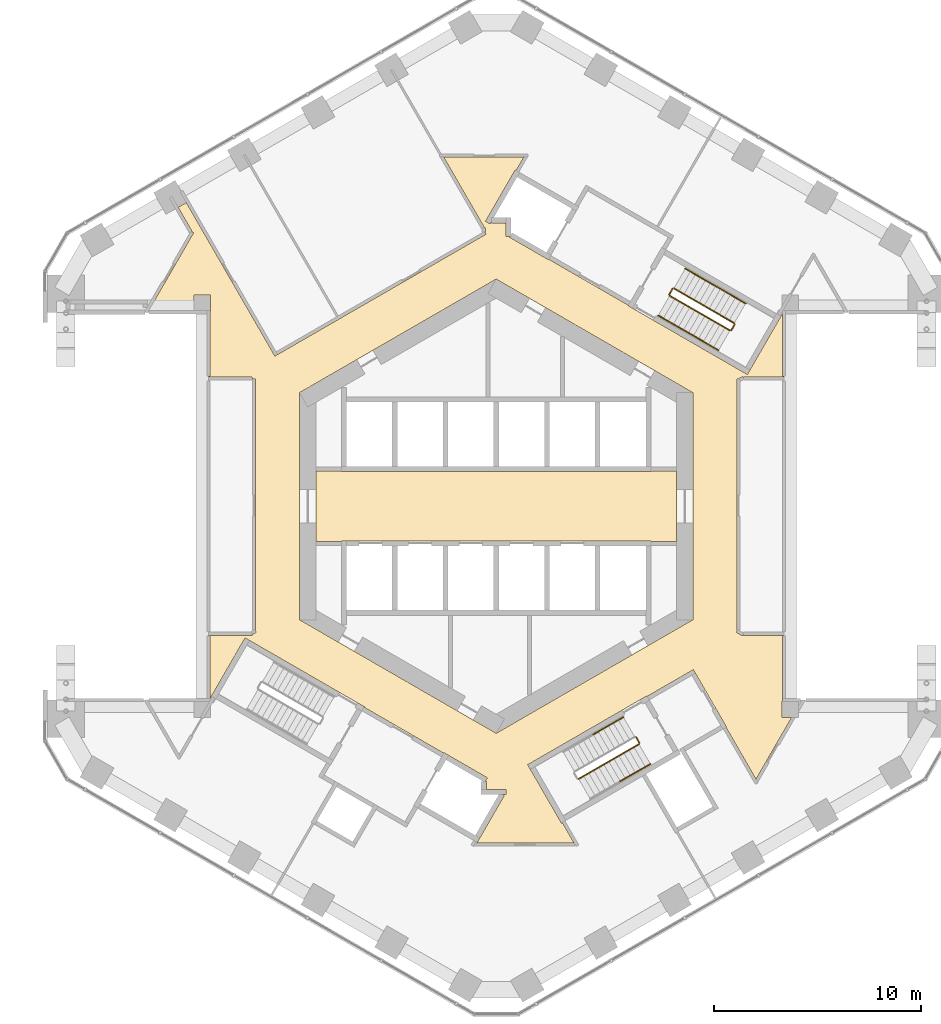
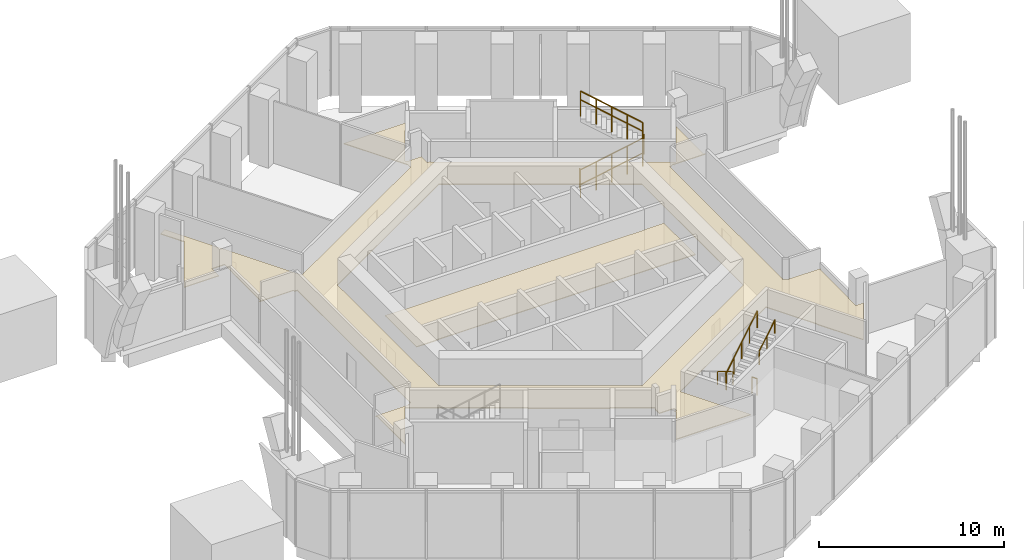
# One storey, part 14 of 14: 12 railings, 2 coverings.
"""IFC4 building model written with IfcOpenShell, lengths in metres."""

from ifc_helpers import new_model, si_unit, direction, frame, origin, origin_2d, place, context, subcontext, project, spatial, polyline, circle, outline, extrude, material, layer, layer_set, type_object, element, save


model = new_model("IFC4")

# Units and contexts
model_context = context("Model", 3, precision=1e-05, world=origin(), true_north=direction((0.0, 1.0)))
body_context = subcontext(model_context, "Body", "Model", "MODEL_VIEW")
ifc_project = project(units=[si_unit("LENGTHUNIT", "METRE"), si_unit("AREAUNIT", "SQUARE_METRE"), si_unit("VOLUMEUNIT", "CUBIC_METRE"), si_unit("PLANEANGLEUNIT", "RADIAN"), si_unit("MASSUNIT", "GRAM", prefix="KILO")], contexts=[model_context])

# Site, building, storey
site_placement = place(None, origin())
site = spatial("IfcSite", under=ifc_project, at=site_placement, CompositionType="ELEMENT")
building_placement = place(site_placement, origin())
building = spatial("IfcBuilding", under=site, at=building_placement, Name="Ayvan Gate Tower", CompositionType="ELEMENT")
storey_placement = place(building_placement, frame((0.0, 0.0, 7.0)))
storey = spatial("IfcBuildingStorey", under=building, at=storey_placement, Name="L01", CompositionType="ELEMENT", Elevation=7.0)

# Coverings
ifc_material_1 = material(Name="Plasterboard suspended ceiling")
ifc_layer = layer(ifc_material_1, 0.050048828125)
ifc_layer_set = layer_set([ifc_layer], Name="Plasterboard suspended ceiling")
covering_type = type_object("IfcCoveringType", Name="CT-SUSP-50", PredefinedType="CEILING", material=ifc_layer_set)
covering_1_placement = place(storey_placement, frame((0.0, 0.0, 2.699951171875)))
element("IfcCovering", 1, at=covering_1_placement, inside=storey, type_object=covering_type, Name="Ceiling Lift Lobby L01", PredefinedType="CEILING", context=body_context, shape_type="SweptSolid", body=[
    extrude(outline(polyline([(7.47509765625, -1.675048828125), (-7.47509765625, -1.675048828125), (-7.47509765625, -1.699951171875), (-8.699951171875, -1.699951171875), (-8.699951171875, 1.699951171875), (-7.47509765625, 1.699951171875), (-7.47509765625, 1.675048828125), (7.47509765625, 1.675048828125), (7.47509765625, 1.699951171875), (8.699951171875, 1.699951171875), (8.699951171875, -1.699951171875), (7.47509765625, -1.699951171875), (7.47509765625, -1.675048828125)])), origin(), (0.0, 0.0, 1.0), 0.050048828125),
])
covering_2_placement = place(storey_placement, frame((0.0, 0.0, 2.699951171875)))
element("IfcCovering", 2, at=covering_2_placement, inside=storey, type_object=covering_type, Name="Ceiling Gallery L01", PredefinedType="CEILING", context=body_context, shape_type="SweptSolid", body=[
    extrude(outline(polyline([(-14.617919921875, 13.20263671875), (-14.720458984375, 13.26171875), (-14.693115234375, 13.277587890625), (-15.36279296875, 14.4375), (-14.969970703125, 14.664306640625), (-10.690185546875, 7.25146484375), (-10.57763671875, 7.31640625), (-0.49755859375, 13.135986328125), (-0.556640625, 13.238525390625), (-0.52490234375, 13.238525390625), (-0.52490234375, 13.435791015625), (-0.556884765625, 13.435791015625), (-2.5341796875, 16.86083984375), (1.334228515625, 16.86083984375), (0.962158203125, 16.216552734375), (0.918701171875, 16.241455078125), (-0.511474609375, 13.76416015625), (-0.294921875, 13.63916015625), (-0.215576171875, 13.776611328125), (-0.215576171875, 13.68505859375), (0.47509765625, 13.68505859375), (0.47509765625, 13.03857421875), (0.672119140625, 13.03857421875), (0.645751953125, 12.992919921875), (2.518310546875, 11.91162109375), (2.53076171875, 11.933349609375), (6.384521484375, 9.70849609375), (6.3720703125, 9.686767578125), (6.588623046875, 9.561767578125), (12.131103515625, 6.36181640625), (12.24609375, 6.56103515625), (13.824951171875, 9.295654296875), (13.824951171875, 6.28076171875), (13.89990234375, 6.28076171875), (13.89990234375, 6.23583984375), (11.94580078125, 6.23583984375), (11.94580078125, 6.180908203125), (11.898193359375, 6.26318359375), (11.7275390625, 6.16455078125), (11.743408203125, 6.13720703125), (11.625, 6.13720703125), (11.625, -5.9873046875), (11.656494140625, -5.9873046875), (11.597412109375, -6.089599609375), (11.898193359375, -6.26318359375), (11.94580078125, -6.180908203125), (11.94580078125, -6.23583984375), (13.89990234375, -6.23583984375), (13.89990234375, -6.28076171875), (13.824951171875, -6.28076171875), (13.824951171875, -9.39794921875), (13.800048828125, -9.39794921875), (13.800048828125, -10.197998046875), (14.2744140625, -10.197998046875), (12.54931640625, -13.185791015625), (11.102294921875, -10.6796875), (11.123779296875, -10.667236328125), (9.623779296875, -8.069091796875), (9.52392578125, -7.89599609375), (7.2939453125, -9.183349609375), (7.281494140625, -9.16162109375), (1.522216796875, -12.48681640625), (1.647216796875, -12.703369140625), (3.147216796875, -15.30126953125), (3.190673828125, -15.2763671875), (3.759033203125, -16.260986328125), (-0.93017578125, -16.260986328125), (-0.803955078125, -16.042236328125), (0.386474609375, -13.980712890625), (0.30712890625, -13.93505859375), (0.465576171875, -13.93505859375), (0.465576171875, -13.68505859375), (-0.47509765625, -13.68505859375), (-0.47509765625, -13.28857421875), (-0.52783203125, -13.28857421875), (-0.42919921875, -13.117919921875), (-2.284423828125, -12.046630859375), (-2.518310546875, -11.91162109375), (-2.53076171875, -11.933349609375), (-6.384521484375, -9.70849609375), (-6.3720703125, -9.686767578125), (-11.897216796875, -6.49658203125), (-12.131103515625, -6.36181640625), (-13.824951171875, -9.295654296875), (-13.824951171875, -6.28076171875), (-13.89990234375, -6.28076171875), (-13.89990234375, -6.23583984375), (-11.7958984375, -6.23583984375), (-11.7958984375, -6.140625), (-11.768310546875, -6.188232421875), (-11.597412109375, -6.089599609375), (-11.656494140625, -5.9873046875), (-11.625, -5.9873046875), (-11.625, 6.13720703125), (-11.7958984375, 6.13720703125), (-11.7958984375, 6.23583984375), (-13.89990234375, 6.23583984375), (-13.89990234375, 6.28076171875), (-13.824951171875, 6.28076171875), (-13.824951171875, 9.39794921875), (-13.800048828125, 9.39794921875), (-13.800048828125, 10.197998046875), (-14.60009765625, 10.197998046875), (-14.60009765625, 9.44287109375), (-16.788818359375, 9.44287109375), (-14.617919921875, 13.20263671875)]), holes=[polyline([(2.808349609375, 9.34814453125), (0.0, 10.9697265625), (-2.808349609375, 9.34814453125), (-9.5, 5.48486328125), (-9.5, -5.48486328125), (-2.808349609375, -9.34814453125), (0.0, -10.9697265625), (2.808349609375, -9.34814453125), (9.5, -5.48486328125), (9.5, 5.48486328125), (2.808349609375, 9.34814453125)])]), origin(), (0.0, 0.0, 1.0), 0.050048828125),
])

# Railings
ifc_material_2 = material(Name="Stainless steel balustrade", Category="steel")
railing_type_1 = type_object("IfcRailingType", Name="RL-GUARD-1100", PredefinedType="GUARDRAIL", material=ifc_material_2)
railing_1_placement = place(storey_placement, frame((8.381103515625, 10.16650390625, 0.173095703125)))
element("IfcRailing", 3, at=railing_1_placement, inside=storey, type_object=railing_type_1, Name="L01 STS1 stair guard 1", PredefinedType="GUARDRAIL", context=body_context, shape_type="SweptSolid", body=[
    extrude(circle(Radius=0.02392578125, at=origin_2d()), frame((0.0, 0.0, 1.076171875), z_axis=(0.736667954249, -0.425288379326, 0.525785240943), x_axis=(0.499976138585, 0.866039179741, 0.0)), (0.0, 0.0, 1.0), 3.9501953125),
    extrude(circle(Radius=0.02099609375, at=origin_2d()), origin(), (0.0, 0.0, 1.0), 1.052001953125),
    extrude(circle(Radius=0.02099609375, at=origin_2d()), frame((0.7275390625, -0.419921875, 0.519287109375)), (0.0, 0.0, 1.0), 1.052001953125),
    extrude(circle(Radius=0.02099609375, at=origin_2d()), frame((1.455078125, -0.83984375, 1.03857421875)), (0.0, 0.0, 1.0), 1.052001953125),
    extrude(circle(Radius=0.02099609375, at=origin_2d()), frame((2.182373046875, -1.260009765625, 1.5576171875)), (0.0, 0.0, 1.0), 1.052001953125),
    extrude(circle(Radius=0.02099609375, at=origin_2d()), frame((2.909912109375, -1.679931640625, 2.076904296875)), (0.0, 0.0, 1.0), 1.052001953125),
])
railing_2_placement = place(storey_placement, frame((11.359130859375, 8.5048828125, 2.25)))
element("IfcRailing", 4, at=railing_2_placement, inside=storey, type_object=railing_type_1, Name="L01 STS1 stair guard 2", PredefinedType="GUARDRAIL", context=body_context, shape_type="SweptSolid", body=[
    extrude(circle(Radius=0.02392578125, at=origin_2d()), frame((0.0, 0.0, 1.076171875), z_axis=(0.500290723946, 0.86585748916, 0.0), x_axis=(-0.86585748916, 0.500290723946, 0.0)), (0.0, 0.0, 1.0), 0.309814453125),
    extrude(circle(Radius=0.02099609375, at=origin_2d()), origin(), (0.0, 0.0, 1.0), 1.052001953125),
    extrude(circle(Radius=0.02099609375, at=origin_2d()), frame((0.155029296875, 0.268310546875, 0.0)), (0.0, 0.0, 1.0), 1.052001953125),
])
railing_3_placement = place(storey_placement, frame((11.495849609375, 8.841552734375, 2.423095703125)))
element("IfcRailing", 5, at=railing_3_placement, inside=storey, type_object=railing_type_1, Name="L01 STS1 stair guard 3", PredefinedType="GUARDRAIL", context=body_context, shape_type="SweptSolid", body=[
    extrude(circle(Radius=0.02392578125, at=origin_2d()), frame((0.0, 0.0, 1.076171875), z_axis=(-0.736639687092, 0.425307743487, 0.525809180911), x_axis=(-0.500007602105, -0.866021014662, 0.0)), (0.0, 0.0, 1.0), 3.949951171875),
    extrude(circle(Radius=0.02099609375, at=origin_2d()), origin(), (0.0, 0.0, 1.0), 1.052001953125),
    extrude(circle(Radius=0.02099609375, at=origin_2d()), frame((-0.7275390625, 0.419921875, 0.519287109375)), (0.0, 0.0, 1.0), 1.052001953125),
    extrude(circle(Radius=0.02099609375, at=origin_2d()), frame((-1.454833984375, 0.83984375, 1.03857421875)), (0.0, 0.0, 1.0), 1.052001953125),
    extrude(circle(Radius=0.02099609375, at=origin_2d()), frame((-2.18212890625, 1.260009765625, 1.5576171875)), (0.0, 0.0, 1.0), 1.052001953125),
    extrude(circle(Radius=0.02099609375, at=origin_2d()), frame((-2.90966796875, 1.679931640625, 2.076904296875)), (0.0, 0.0, 1.0), 1.052001953125),
])
railing_4_placement = place(storey_placement, frame((8.36279296875, 10.23486328125, 0.0)))
element("IfcRailing", 6, at=railing_4_placement, inside=storey, type_object=railing_type_1, Name="L01 STS1 stair guard 4", PredefinedType="GUARDRAIL", context=body_context, shape_type="SweptSolid", body=[
    extrude(circle(Radius=0.02392578125, at=origin_2d()), frame((0.0, 0.0, 1.076171875), z_axis=(0.500290723946, 0.86585748916, 0.0), x_axis=(-0.86585748916, 0.500290723946, 0.0)), (0.0, 0.0, 1.0), 0.309814453125),
    extrude(circle(Radius=0.02099609375, at=origin_2d()), origin(), (0.0, 0.0, 1.0), 1.052001953125),
    extrude(circle(Radius=0.02099609375, at=origin_2d()), frame((0.155029296875, 0.268310546875, 0.0)), (0.0, 0.0, 1.0), 1.052001953125),
])
railing_5_placement = place(storey_placement, frame((3.987548828125, -13.176513671875, 2.423095703125)))
element("IfcRailing", 7, at=railing_5_placement, inside=storey, type_object=railing_type_1, Name="L01 STS3 stair guard 3", PredefinedType="GUARDRAIL", context=body_context, shape_type="SweptSolid", body=[
    extrude(circle(Radius=0.02392578125, at=origin_2d()), frame((0.0, 0.0, 1.076171875), z_axis=(0.736667954249, 0.425288379326, 0.525785240943), x_axis=(-0.499976138585, 0.866039179741, 0.0)), (0.0, 0.0, 1.0), 3.9501953125),
    extrude(circle(Radius=0.02099609375, at=origin_2d()), origin(), (0.0, 0.0, 1.0), 1.052001953125),
    extrude(circle(Radius=0.02099609375, at=origin_2d()), frame((0.7275390625, 0.419921875, 0.519287109375)), (0.0, 0.0, 1.0), 1.052001953125),
    extrude(circle(Radius=0.02099609375, at=origin_2d()), frame((1.455078125, 0.83984375, 1.03857421875)), (0.0, 0.0, 1.0), 1.052001953125),
    extrude(circle(Radius=0.02099609375, at=origin_2d()), frame((2.182373046875, 1.260009765625, 1.5576171875)), (0.0, 0.0, 1.0), 1.052001953125),
    extrude(circle(Radius=0.02099609375, at=origin_2d()), frame((2.909912109375, 1.679931640625, 2.076904296875)), (0.0, 0.0, 1.0), 1.052001953125),
])
railing_6_placement = place(storey_placement, frame((6.7607421875, -11.159912109375, 0.0)))
element("IfcRailing", 8, at=railing_6_placement, inside=storey, type_object=railing_type_1, Name="L01 STS3 stair guard 4", PredefinedType="GUARDRAIL", context=body_context, shape_type="SweptSolid", body=[
    extrude(circle(Radius=0.02392578125, at=origin_2d()), frame((0.0, 0.0, 1.076171875), z_axis=(0.500290723946, -0.86585748916, 0.0), x_axis=(0.86585748916, 0.500290723946, 0.0)), (0.0, 0.0, 1.0), 0.309814453125),
    extrude(circle(Radius=0.02099609375, at=origin_2d()), origin(), (0.0, 0.0, 1.0), 1.052001953125),
    extrude(circle(Radius=0.02099609375, at=origin_2d()), frame((0.155029296875, -0.268310546875, 0.0)), (0.0, 0.0, 1.0), 1.052001953125),
])
railing_type_2 = type_object("IfcRailingType", Name="RL-HANDRAIL-900", PredefinedType="HANDRAIL", material=ifc_material_2)
railing_7_placement = place(storey_placement, frame((7.8310546875, 9.2138671875, 0.173095703125)))
element("IfcRailing", 9, at=railing_7_placement, inside=storey, type_object=railing_type_2, Name="L01 STS1 stair handrail 1", PredefinedType="HANDRAIL", context=body_context, shape_type="SweptSolid", body=[
    extrude(circle(Radius=0.02392578125, at=origin_2d()), frame((0.0, 0.0, 0.8759765625), z_axis=(0.736700790218, -0.425333459587, 0.525702761879), x_axis=(0.499999171277, 0.866025882247, 0.0)), (0.0, 0.0, 1.0), 1.97509765625),
    extrude(circle(Radius=0.02099609375, at=origin_2d()), origin(), (0.0, 0.0, 1.0), 0.851806640625),
    extrude(circle(Radius=0.02099609375, at=origin_2d()), frame((0.7275390625, -0.419921875, 0.51904296875)), (0.0, 0.0, 1.0), 0.851806640625),
    extrude(circle(Radius=0.02099609375, at=origin_2d()), frame((1.455078125, -0.840087890625, 1.038330078125)), (0.0, 0.0, 1.0), 0.851806640625),
])
railing_8_placement = place(storey_placement, frame((9.2861328125, 8.373779296875, 1.21142578125)))
element("IfcRailing", 10, at=railing_8_placement, inside=storey, type_object=railing_type_2, Name="L01 STS1 stair handrail 2", PredefinedType="HANDRAIL", context=body_context, shape_type="SweptSolid", body=[
    extrude(circle(Radius=0.02392578125, at=origin_2d()), frame((0.0, 0.0, 0.8759765625), z_axis=(0.736635108394, -0.425243291303, 0.52586772128), x_axis=(0.499953100966, 0.866052479261, 0.0)), (0.0, 0.0, 1.0), 1.974853515625),
    extrude(circle(Radius=0.02099609375, at=origin_2d()), origin(), (0.0, 0.0, 1.0), 0.851806640625),
    extrude(circle(Radius=0.02099609375, at=origin_2d()), frame((0.7275390625, -0.419921875, 0.519287109375)), (0.0, 0.0, 1.0), 0.851806640625),
    extrude(circle(Radius=0.02099609375, at=origin_2d()), frame((1.454833984375, -0.83984375, 1.03857421875)), (0.0, 0.0, 1.0), 0.851806640625),
])
railing_9_placement = place(storey_placement, frame((12.0458984375, 9.794189453125, 2.423095703125)))
element("IfcRailing", 11, at=railing_9_placement, inside=storey, type_object=railing_type_2, Name="L01 STS1 stair handrail 3", PredefinedType="HANDRAIL", context=body_context, shape_type="SweptSolid", body=[
    extrude(circle(Radius=0.02392578125, at=origin_2d()), frame((0.0, 0.0, 0.8759765625), z_axis=(-0.736644260248, 0.425372193239, 0.525750635817), x_axis=(-0.500062097304, -0.865989548921, 0.0)), (0.0, 0.0, 1.0), 1.974853515625),
    extrude(circle(Radius=0.02099609375, at=origin_2d()), origin(), (0.0, 0.0, 1.0), 0.851806640625),
    extrude(circle(Radius=0.02099609375, at=origin_2d()), frame((-0.7275390625, 0.419921875, 0.51904296875)), (0.0, 0.0, 1.0), 0.851806640625),
    extrude(circle(Radius=0.02099609375, at=origin_2d()), frame((-1.454833984375, 0.840087890625, 1.038330078125)), (0.0, 0.0, 1.0), 0.851806640625),
])
railing_10_placement = place(storey_placement, frame((10.591064453125, 10.63427734375, 3.46142578125)))
element("IfcRailing", 12, at=railing_10_placement, inside=storey, type_object=railing_type_2, Name="L01 STS1 stair handrail 4", PredefinedType="HANDRAIL", context=body_context, shape_type="SweptSolid", body=[
    extrude(circle(Radius=0.02392578125, at=origin_2d()), frame((0.0, 0.0, 0.8759765625), z_axis=(-0.736691639328, 0.42520457035, 0.525819837869), x_axis=(-0.499890179513, -0.866088799389, 0.0)), (0.0, 0.0, 1.0), 1.97509765625),
    extrude(circle(Radius=0.02099609375, at=origin_2d()), origin(), (0.0, 0.0, 1.0), 0.851806640625),
    extrude(circle(Radius=0.02099609375, at=origin_2d()), frame((-0.7275390625, 0.419921875, 0.519287109375)), (0.0, 0.0, 1.0), 0.851806640625),
    extrude(circle(Radius=0.02099609375, at=origin_2d()), frame((-1.455078125, 0.83984375, 1.03857421875)), (0.0, 0.0, 1.0), 0.851806640625),
])
railing_11_placement = place(storey_placement, frame((6.142333984375, -10.18896484375, 0.173095703125)))
element("IfcRailing", 13, at=railing_11_placement, inside=storey, type_object=railing_type_2, Name="L01 STS3 stair handrail 1", PredefinedType="HANDRAIL", context=body_context, shape_type="SweptSolid", body=[
    extrude(circle(Radius=0.02392578125, at=origin_2d()), frame((0.0, 0.0, 0.8759765625), z_axis=(-0.736682993367, -0.425270934248, 0.525778280045), x_axis=(0.499953100966, -0.866052479261, 0.0)), (0.0, 0.0, 1.0), 1.974853515625),
    extrude(circle(Radius=0.02099609375, at=origin_2d()), origin(), (0.0, 0.0, 1.0), 0.851806640625),
    extrude(circle(Radius=0.02099609375, at=origin_2d()), frame((-0.7275390625, -0.419921875, 0.51904296875)), (0.0, 0.0, 1.0), 0.851806640625),
    extrude(circle(Radius=0.02099609375, at=origin_2d()), frame((-1.454833984375, -0.83984375, 1.038330078125)), (0.0, 0.0, 1.0), 0.851806640625),
])
railing_12_placement = place(storey_placement, frame((5.992431640625, -13.289306640625, 3.46142578125)))
element("IfcRailing", 14, at=railing_12_placement, inside=storey, type_object=railing_type_2, Name="L01 STS3 stair handrail 4", PredefinedType="HANDRAIL", context=body_context, shape_type="SweptSolid", body=[
    extrude(circle(Radius=0.02392578125, at=origin_2d()), frame((0.0, 0.0, 0.8759765625), z_axis=(0.736596382827, 0.42534454662, 0.525840075943), x_axis=(-0.500062097304, 0.865989548921, 0.0)), (0.0, 0.0, 1.0), 1.97509765625),
    extrude(circle(Radius=0.02099609375, at=origin_2d()), origin(), (0.0, 0.0, 1.0), 0.851806640625),
    extrude(circle(Radius=0.02099609375, at=origin_2d()), frame((0.7275390625, 0.419921875, 0.519287109375)), (0.0, 0.0, 1.0), 0.851806640625),
    extrude(circle(Radius=0.02099609375, at=origin_2d()), frame((1.454833984375, 0.840087890625, 1.03857421875)), (0.0, 0.0, 1.0), 0.851806640625),
])

save(model, "model.ifc")
